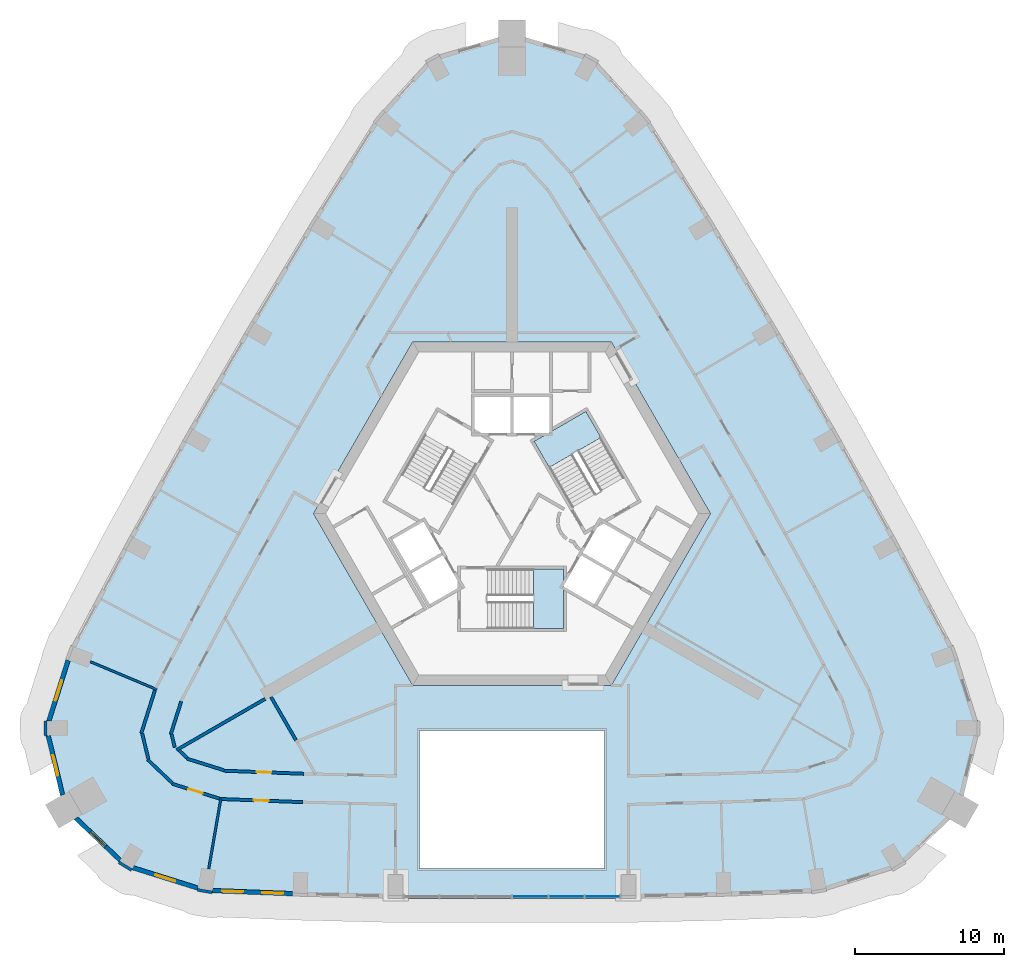
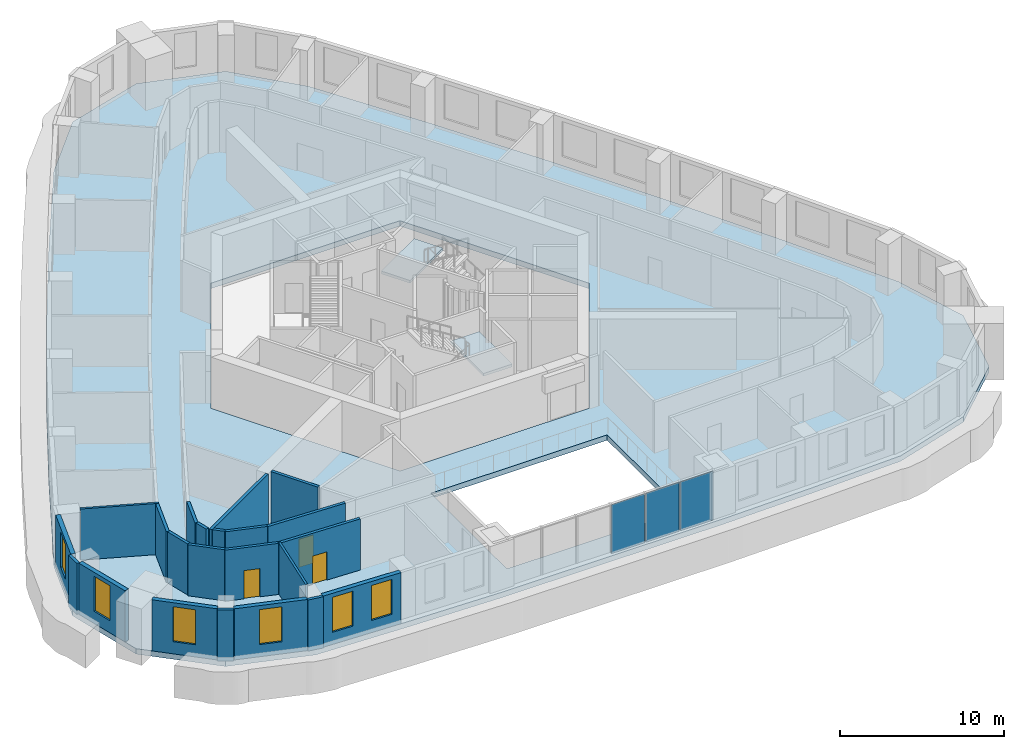
# One storey, part 3 of 13: 22 walls, 6 windows, 3 doors, 3 plates, 3 slabs, 9 openings, 3 elements without a shape of their own.
"""IFC4 building model written with IfcOpenShell, lengths in metres."""

from ifc_helpers import new_model, si_unit, direction, frame, frame_2d, origin, origin_2d, place, context, subcontext, project, spatial, polyline, rectangle, outline, extrude, material, layer, layer_set, type_object, element, fill, aggregate, save


model = new_model("IFC4")

# Units and contexts
model_context = context("Model", 3, precision=1e-05, world=origin(), true_north=direction((0.0, 1.0)))
body_context = subcontext(model_context, "Body", "Model", "MODEL_VIEW")
ifc_project = project(units=[si_unit("LENGTHUNIT", "METRE"), si_unit("AREAUNIT", "SQUARE_METRE"), si_unit("VOLUMEUNIT", "CUBIC_METRE"), si_unit("PLANEANGLEUNIT", "RADIAN"), si_unit("MASSUNIT", "GRAM", prefix="KILO")], contexts=[model_context])

# Site, building, storey
site_placement = place(None, origin())
site = spatial("IfcSite", under=ifc_project, at=site_placement, CompositionType="ELEMENT")
building_placement = place(site_placement, origin())
building = spatial("IfcBuilding", under=site, at=building_placement, Name="Entoto Arch Interchange Tower", CompositionType="ELEMENT")
storey_placement = place(building_placement, frame((0.0, 0.0, 219.199951171875)))
storey = spatial("IfcBuildingStorey", under=building, at=storey_placement, Name="L49", CompositionType="ELEMENT", Elevation=219.199951171875)

# Stair, slab
ifc_material_1 = material(Name="Concrete C40/50", Category="concrete")
stair_type = type_object("IfcStairType", Name="EXIT STAIR RC 1800", PredefinedType="HALF_TURN_STAIR", material=ifc_material_1)
stair_1_placement = place(storey_placement, origin())
stair_1 = element("IfcStair", 1, at=stair_1_placement, inside=storey, type_object=stair_type, Name="L49 Exit stair S", PredefinedType="HALF_TURN_STAIR")
ifc_layer_1 = layer(ifc_material_1, 0.199951171875)
ifc_layer_set_1 = layer_set([ifc_layer_1], Name="Concrete C40/50")
slab_type_1 = type_object("IfcSlabType", Name="EXIT STAIR LANDING RC 200", PredefinedType="LANDING", material=ifc_layer_set_1)
slab_1_placement = place(storey_placement, frame((0.0, 0.0, 1.900146484375)))
slab_1 = element("IfcSlab", 2, at=slab_1_placement, type_object=slab_type_1, Name="ST-S landing 1", PredefinedType="LANDING", context=body_context, shape_type="SweptSolid", body=[
    extrude(outline(polyline([(1.429931640625, -5.199951171875), (3.449951171875, -5.199951171875), (3.449951171875, -1.199951171875), (1.429931640625, -1.199951171875), (1.429931640625, -5.199951171875)])), origin(), (0.0, 0.0, 1.0), 0.199951171875),
])
aggregate(stair_1, [slab_1])

stair_2_placement = place(storey_placement, origin())
stair_2 = element("IfcStair", 3, at=stair_2_placement, inside=storey, type_object=stair_type, Name="L49 Exit stair NE", PredefinedType="HALF_TURN_STAIR")
slab_2_placement = place(storey_placement, frame((0.0, 0.0, 1.900146484375)))
slab_2 = element("IfcSlab", 4, at=slab_2_placement, type_object=slab_type_1, Name="ST-NE landing 1", PredefinedType="LANDING", context=body_context, shape_type="SweptSolid", body=[
    extrude(outline(polyline([(5.953369140625, 7.58837890625), (4.943359375, 9.337890625), (1.479248046875, 7.337890625), (2.4892578125, 5.58837890625), (5.953369140625, 7.58837890625)])), origin(), (0.0, 0.0, 1.0), 0.199951171875),
])
aggregate(stair_2, [slab_2])

# Curtain wall, plates
ifc_material_2 = material(Name="Aluminium, anodised", Category="aluminium")
curtain_wall_type = type_object("IfcCurtainWallType", Name="CURTAIN WALL ATRIUM", PredefinedType="NOTDEFINED", material=ifc_material_2)
curtain_wall_placement = place(storey_placement, origin())
curtain_wall = element("IfcCurtainWall", 5, at=curtain_wall_placement, inside=storey, type_object=curtain_wall_type, Name="Atrium glazing S-03 L49", PredefinedType="NOTDEFINED")
ifc_material_3 = material(Name="Clear glass, low-e double glazed", Category="glass")
ifc_layer_2 = layer(ifc_material_3, 0.031982421875)
ifc_layer_set_2 = layer_set([ifc_layer_2], Name="Clear glass, low-e double glazed")
plate_type = type_object("IfcPlateType", Name="GLAZING PANEL ATRIUM 32", PredefinedType="CURTAIN_PANEL", material=ifc_layer_set_2)
plate_1_placement = place(storey_placement, frame((1.216552734375, -23.135986328125, 0.080078125), z_axis=(0.0, 0.0, 1.0), x_axis=(1.0, 0.0, 0.0)))
plate_1 = element("IfcPlate", 6, at=plate_1_placement, type_object=plate_type, Name="CWA panel 4.1", PredefinedType="CURTAIN_PANEL", context=body_context, shape_type="SweptSolid", body=[
    extrude(rectangle(XDim=2.3330078125, YDim=0.031982421875, at=origin_2d()), origin(), (0.0, 0.0, 1.0), 3.639892578125),
])
plate_2_placement = place(storey_placement, frame((3.6494140625, -23.135986328125, 0.080078125), z_axis=(0.0, 0.0, 1.0), x_axis=(1.0, 0.0, 0.0)))
plate_2 = element("IfcPlate", 7, at=plate_2_placement, type_object=plate_type, Name="CWA panel 5.1", PredefinedType="CURTAIN_PANEL", context=body_context, shape_type="SweptSolid", body=[
    extrude(rectangle(XDim=2.3330078125, YDim=0.031982421875, at=origin_2d()), origin(), (0.0, 0.0, 1.0), 3.639892578125),
])
plate_3_placement = place(storey_placement, frame((6.0576171875, -23.135986328125, 0.080078125), z_axis=(0.0, 0.0, 1.0), x_axis=(1.0, 0.0, 0.0)))
plate_3 = element("IfcPlate", 8, at=plate_3_placement, type_object=plate_type, Name="CWA panel 6.1", PredefinedType="CURTAIN_PANEL", context=body_context, shape_type="SweptSolid", body=[
    extrude(rectangle(XDim=2.282958984375, YDim=0.031982421875, at=origin_2d()), origin(), (0.0, 0.0, 1.0), 3.639892578125),
])
aggregate(curtain_wall, [plate_1, plate_2, plate_3])

# Slab
ifc_layer_3 = layer(ifc_material_1, 0.39990234375)
ifc_layer_set_3 = layer_set([ifc_layer_3], Name="Concrete C40/50")
slab_type_2 = type_object("IfcSlabType", Name="Post-tensioned flat plate 400 C40/50", PredefinedType="FLOOR", material=ifc_layer_set_3)
slab_3_placement = place(storey_placement, frame((0.0, 0.0, -0.39990234375)))
element("IfcSlab", 9, at=slab_3_placement, inside=storey, type_object=slab_type_2, Name="Floor slab L49", PredefinedType="FLOOR", context=body_context, shape_type="SweptSolid", body=[
    extrude(outline(polyline([(-20.569091796875, -22.862060546875), (-14.18505859375, -23.10693359375), (-7.800048828125, -23.260986328125), (7.800048828125, -23.260986328125), (14.18505859375, -23.10693359375), (20.569091796875, -22.862060546875), (25.93798828125, -21.179931640625), (29.991943359375, -17.31591796875), (31.31201171875, -11.873046875), (29.699951171875, -6.7880859375), (25.784912109375, 0.60205078125), (21.791015625, 7.819091796875), (17.6669921875, 14.9619140625), (13.4140625, 22.030029296875), (8.970947265625, 29.114990234375), (5.373046875, 33.052978515625), (0.0, 34.632080078125), (-5.373046875, 33.052978515625), (-8.970947265625, 29.114990234375), (-13.4140625, 22.030029296875), (-17.6669921875, 14.9619140625), (-21.791015625, 7.819091796875), (-25.784912109375, 0.60205078125), (-29.699951171875, -6.7880859375), (-31.31201171875, -11.873046875), (-29.991943359375, -17.31591796875), (-25.93798828125, -21.179931640625), (-20.569091796875, -22.862060546875)]), holes=[polyline([(6.199951171875, -21.260986328125), (6.199951171875, -12.0), (-6.199951171875, -12.0), (-6.199951171875, -21.260986328125), (6.199951171875, -21.260986328125)]), polyline([(13.279052734375, 2.5), (6.639892578125, 14.0), (-6.639892578125, 14.0), (-13.279052734375, 2.5), (-6.639892578125, -9.0), (6.639892578125, -9.0), (13.279052734375, 2.5)])]), origin(), (0.0, 0.0, 1.0), 0.39990234375),
])

# Walls
ifc_material_4 = material(Name="Gypsum board partition on steel studs", Category="steel")
ifc_layer_4 = layer(ifc_material_4, 0.14990234375)
ifc_layer_set_4 = layer_set([ifc_layer_4], Name="Gypsum board partition on steel studs")
wall_type_1 = type_object("IfcWallType", Name="PARTITION 150", PredefinedType="PARTITIONING", material=ifc_layer_set_4)
wall_1_placement = place(storey_placement, frame((-23.77392578125, -9.27294921875, 0.0), z_axis=(0.0, 0.0, 1.0), x_axis=(-0.922217762148, 0.386670918454, 0.0)))
element("IfcWall", 10, at=wall_1_placement, inside=storey, type_object=wall_type_1, Name="wall:L49:p128", PredefinedType="PARTITIONING", context=body_context, shape_type="SweptSolid", body=[
    extrude(rectangle(XDim=4.804931640625, YDim=0.14990234375, at=frame_2d((2.40234375, 0.0))), origin(), (0.0, 0.0, 1.0), 3.800048828125),
])
wall_2_placement = place(storey_placement, frame((-19.488037109375, -16.59912109375, 0.0), z_axis=(0.0, 0.0, 1.0), x_axis=(-0.169963884325, -0.985450292011, 0.0)))
element("IfcWall", 11, at=wall_2_placement, inside=storey, type_object=wall_type_1, Name="wall:L49:p129", PredefinedType="PARTITIONING", context=body_context, shape_type="SweptSolid", body=[
    extrude(rectangle(XDim=4.73583984375, YDim=0.14990234375, at=frame_2d((2.367919921875, 0.0))), origin(), (0.0, 0.0, 1.0), 3.800048828125),
])
ifc_layer_5 = layer(ifc_material_4, 0.199951171875)
ifc_layer_set_5 = layer_set([ifc_layer_5], Name="Gypsum board partition on steel studs")
wall_type_2 = type_object("IfcWallType", Name="PARTITION 200", PredefinedType="PARTITIONING", material=ifc_layer_set_5)
wall_3_placement = place(storey_placement, frame((-22.136962890625, -10.06689453125, 0.0), z_axis=(0.0, 0.0, 1.0), x_axis=(-0.302262657712, -0.953224677478, 0.0)))
element("IfcWall", 12, at=wall_3_placement, inside=storey, type_object=wall_type_2, Name="wall:L49:p029", PredefinedType="PARTITIONING", context=body_context, shape_type="SweptSolid", body=[
    extrude(rectangle(XDim=2.302734375, YDim=0.199951171875, at=frame_2d((1.1513671875, 0.0))), origin(), (0.0, 0.0, 1.0), 3.800048828125),
])
wall_4_placement = place(storey_placement, frame((-22.779052734375, -12.263916015625, 0.0), z_axis=(0.0, 0.0, 1.0), x_axis=(0.2356388299, -0.971840697771, 0.0)))
element("IfcWall", 13, at=wall_4_placement, inside=storey, type_object=wall_type_2, Name="wall:L49:p030", PredefinedType="PARTITIONING", context=body_context, shape_type="SweptSolid", body=[
    extrude(rectangle(XDim=0.900390625, YDim=0.199951171875, at=frame_2d((0.4501953125, 0.0))), origin(), (0.0, 0.0, 1.0), 3.800048828125),
])
wall_5_placement = place(storey_placement, frame((-22.281005859375, -13.3369140625, 0.0), z_axis=(0.0, 0.0, 1.0), x_axis=(0.723443840005, -0.690383234413, 0.0)))
element("IfcWall", 14, at=wall_5_placement, inside=storey, type_object=wall_type_2, Name="wall:L49:p031", PredefinedType="PARTITIONING", context=body_context, shape_type="SweptSolid", body=[
    extrude(rectangle(XDim=0.753173828125, YDim=0.199951171875, at=frame_2d((0.37646484375, 0.0))), origin(), (0.0, 0.0, 1.0), 3.800048828125),
])
wall_6_placement = place(storey_placement, frame((-21.759033203125, -13.89599609375, 0.0), z_axis=(0.0, 0.0, 1.0), x_axis=(0.954254371194, -0.298995978328, 0.0)))
element("IfcWall", 15, at=wall_6_placement, inside=storey, type_object=wall_type_2, Name="wall:L49:p032", PredefinedType="PARTITIONING", context=body_context, shape_type="SweptSolid", body=[
    extrude(rectangle(XDim=2.621826171875, YDim=0.199951171875, at=frame_2d((1.31103515625, 0.0))), origin(), (0.0, 0.0, 1.0), 3.800048828125),
])

# Wall, opening, door
wall_7_placement = place(storey_placement, frame((-19.260986328125, -14.7060546875, 0.0), z_axis=(0.0, 0.0, 1.0), x_axis=(0.999262930749, -0.038387435847, 0.0)))
wall_7 = element("IfcWall", 16, at=wall_7_placement, inside=storey, type_object=wall_type_2, Name="wall:L49:p033", PredefinedType="PARTITIONING", context=body_context, shape_type="SweptSolid", body=[
    extrude(rectangle(XDim=5.3359375, YDim=0.199951171875, at=frame_2d((2.66796875, 0.0))), origin(), (0.0, 0.0, 1.0), 3.800048828125),
])
opening_1_placement = place(wall_7_placement, frame((2.16796875, 0.0, 0.0)))
opening_1 = element("IfcOpeningElement", 17, at=opening_1_placement, cuts=wall_7, Name="Opening L49-D24", PredefinedType="OPENING", context=body_context, shape_type="SweptSolid", body=[
    extrude(rectangle(XDim=1.0, YDim=2.10009765625, at=frame_2d((0.5, 1.050048828125))), frame((0.0, 0.10986328125, 0.0), z_axis=(0.0, -1.0, 0.0), x_axis=(1.0, 0.0, 0.0)), (0.0, 0.0, 1.0), 0.219970703125),
])
ifc_material_5 = material(Name="Timber door leaf in Steel S235 frame", Category="steel")
door_type = type_object("IfcDoorType", Name="DOOR DS-10 1000x2100", OperationType="SINGLE_SWING_LEFT", PredefinedType="DOOR", material=ifc_material_5)
door_1_placement = place(opening_1_placement, origin())
door_1 = element("IfcDoor", 18, at=door_1_placement, inside=storey, type_object=door_type, Name="door:L49:24", OperationType="SINGLE_SWING_LEFT", OverallHeight=2.10009765625, OverallWidth=1.0, PredefinedType="DOOR", context=body_context, shape_type="SweptSolid", body=[
    extrude(rectangle(XDim=1.0, YDim=2.10009765625, at=frame_2d((0.5, 1.050048828125))), frame((0.0, 0.02490234375, 0.0), z_axis=(0.0, -1.0, 0.0), x_axis=(1.0, 0.0, 0.0)), (0.0, 0.0, 1.0), 0.050048828125),
])
fill(opening_1, door_1)

wall_8_placement = place(storey_placement, frame((-19.5830078125, -16.569091796875, 0.0), z_axis=(0.0, 0.0, 1.0), x_axis=(-0.954238750745, 0.299045826884, 0.0)))
wall_8 = element("IfcWall", 19, at=wall_8_placement, inside=storey, type_object=wall_type_2, Name="wall:L49:p060", PredefinedType="PARTITIONING", context=body_context, shape_type="SweptSolid", body=[
    extrude(rectangle(XDim=3.31787109375, YDim=0.199951171875, at=frame_2d((1.658935546875, 0.0))), origin(), (0.0, 0.0, 1.0), 3.800048828125),
])
opening_2_placement = place(wall_8_placement, frame((1.158935546875, 0.0, 0.0)))
opening_2 = element("IfcOpeningElement", 20, at=opening_2_placement, cuts=wall_8, Name="Opening L49-D13", PredefinedType="OPENING", context=body_context, shape_type="SweptSolid", body=[
    extrude(rectangle(XDim=1.0, YDim=2.10009765625, at=frame_2d((0.5, 1.050048828125))), frame((0.0, 0.10986328125, 0.0), z_axis=(0.0, -1.0, 0.0), x_axis=(1.0, 0.0, 0.0)), (0.0, 0.0, 1.0), 0.219970703125),
])
door_2_placement = place(opening_2_placement, origin())
door_2 = element("IfcDoor", 21, at=door_2_placement, inside=storey, type_object=door_type, Name="door:L49:13", OperationType="SINGLE_SWING_RIGHT", OverallHeight=2.10009765625, OverallWidth=1.0, PredefinedType="DOOR", context=body_context, shape_type="SweptSolid", body=[
    extrude(rectangle(XDim=1.0, YDim=2.10009765625, at=frame_2d((0.5, 1.050048828125))), frame((0.0, 0.02490234375, 0.0), z_axis=(0.0, -1.0, 0.0), x_axis=(1.0, 0.0, 0.0)), (0.0, 0.0, 1.0), 0.050048828125),
])
fill(opening_2, door_2)

# Walls
wall_9_placement = place(storey_placement, frame((-22.72607421875, -15.5380859375, 0.0), z_axis=(0.0, 0.0, 1.0), x_axis=(-0.723967420116, 0.689834164571, 0.0)))
element("IfcWall", 22, at=wall_9_placement, inside=storey, type_object=wall_type_2, Name="wall:L49:p061", PredefinedType="PARTITIONING", context=body_context, shape_type="SweptSolid", body=[
    extrude(rectangle(XDim=2.28173828125, YDim=0.199951171875, at=frame_2d((1.140869140625, 0.0))), origin(), (0.0, 0.0, 1.0), 3.800048828125),
])
wall_10_placement = place(storey_placement, frame((-24.3291015625, -13.93505859375, 0.0), z_axis=(0.0, 0.0, 1.0), x_axis=(-0.235756216468, 0.971812227952, 0.0)))
element("IfcWall", 23, at=wall_10_placement, inside=storey, type_object=wall_type_2, Name="wall:L49:p062", PredefinedType="PARTITIONING", context=body_context, shape_type="SweptSolid", body=[
    extrude(rectangle(XDim=1.78955078125, YDim=0.199951171875, at=frame_2d((0.894775390625, 0.0))), origin(), (0.0, 0.0, 1.0), 3.800048828125),
])
wall_11_placement = place(storey_placement, frame((-24.804931640625, -12.194091796875, 0.0), z_axis=(0.0, 0.0, 1.0), x_axis=(0.302200639646, 0.953244340868, 0.0)))
element("IfcWall", 24, at=wall_11_placement, inside=storey, type_object=wall_type_2, Name="wall:L49:p063", PredefinedType="PARTITIONING", context=body_context, shape_type="SweptSolid", body=[
    extrude(rectangle(XDim=3.00439453125, YDim=0.199951171875, at=frame_2d((1.502197265625, 0.0))), origin(), (0.0, 0.0, 1.0), 3.800048828125),
])

# Wall, opening, door
wall_12_placement = place(storey_placement, frame((-13.988037109375, -16.81005859375, 0.0), z_axis=(0.0, 0.0, 1.0), x_axis=(-0.999263168163, 0.038381255227, 0.0)))
wall_12 = element("IfcWall", 25, at=wall_12_placement, inside=storey, type_object=wall_type_2, Name="wall:L49:p065", PredefinedType="PARTITIONING", context=body_context, shape_type="SweptSolid", body=[
    extrude(rectangle(XDim=5.60400390625, YDim=0.199951171875, at=frame_2d((2.802001953125, 0.0))), origin(), (0.0, 0.0, 1.0), 3.800048828125),
])
opening_3_placement = place(wall_12_placement, frame((2.302001953125, 0.0, 0.0)))
opening_3 = element("IfcOpeningElement", 26, at=opening_3_placement, cuts=wall_12, Name="Opening L49-D14", PredefinedType="OPENING", context=body_context, shape_type="SweptSolid", body=[
    extrude(rectangle(XDim=1.0, YDim=2.10009765625, at=frame_2d((0.5, 1.050048828125))), frame((0.0, 0.10986328125, 0.0), z_axis=(0.0, -1.0, 0.0), x_axis=(1.0, 0.0, 0.0)), (0.0, 0.0, 1.0), 0.219970703125),
])
door_3_placement = place(opening_3_placement, origin())
door_3 = element("IfcDoor", 27, at=door_3_placement, inside=storey, type_object=door_type, Name="door:L49:14", OperationType="SINGLE_SWING_LEFT", OverallHeight=2.10009765625, OverallWidth=1.0, PredefinedType="DOOR", context=body_context, shape_type="SweptSolid", body=[
    extrude(rectangle(XDim=1.0, YDim=2.10009765625, at=frame_2d((0.5, 1.050048828125))), frame((0.0, 0.02490234375, 0.0), z_axis=(0.0, -1.0, 0.0), x_axis=(1.0, 0.0, 0.0)), (0.0, 0.0, 1.0), 0.050048828125),
])
fill(opening_3, door_3)

# Walls
wall_13_placement = place(storey_placement, frame((-14.45703125, -12.659912109375, 0.0), z_axis=(0.0, 0.0, 1.0), x_axis=(-0.49997268395, 0.866041174139, 0.0)))
element("IfcWall", 28, at=wall_13_placement, inside=storey, type_object=wall_type_2, Name="wall:L49:p114", PredefinedType="PARTITIONING", context=body_context, shape_type="SweptSolid", body=[
    extrude(rectangle(XDim=3.322021484375, YDim=0.199951171875, at=frame_2d((1.6611328125, 0.0))), origin(), (0.0, 0.0, 1.0), 3.800048828125),
])
wall_14_placement = place(storey_placement, frame((-16.513916015625, -9.89697265625, 0.0), z_axis=(0.0, 0.0, 1.0), x_axis=(-0.866041209536, -0.499972622635, 0.0)))
element("IfcWall", 29, at=wall_14_placement, inside=storey, type_object=wall_type_2, Name="wall:L49:p116", PredefinedType="PARTITIONING", context=body_context, shape_type="SweptSolid", body=[
    extrude(rectangle(XDim=6.8427734375, YDim=0.199951171875, at=frame_2d((3.42138671875, 0.0))), origin(), (0.0, 0.0, 1.0), 3.800048828125),
])

# Wall, openings, windows
ifc_material_6 = material(Name="Welded tuff (ignimbrite) cladding, warm buff", Category="masonry")
ifc_layer_6 = layer(ifc_material_6, 0.300048828125)
ifc_layer_set_6 = layer_set([ifc_layer_6], Name="Welded tuff (ignimbrite) cladding, warm buff")
wall_type_3 = type_object("IfcWallType", Name="STONE INFILL WALL 300", PredefinedType="STANDARD", material=ifc_layer_set_6)
wall_15_placement = place(storey_placement, frame((-20.0400390625, -22.73193359375, 0.0), z_axis=(0.0, 0.0, 1.0), x_axis=(0.99926218254, -0.038406907512, 0.0)))
wall_15 = element("IfcWall", 30, at=wall_15_placement, inside=storey, type_object=wall_type_3, Name="Facade wall S-01 L49", PredefinedType="STANDARD", context=body_context, shape_type="SweptSolid", body=[
    extrude(rectangle(XDim=5.364990234375, YDim=0.300048828125, at=frame_2d((2.6826171875, 0.0))), origin(), (0.0, 0.0, 1.0), 3.800048828125),
])
opening_4_placement = place(wall_15_placement, frame((0.64111328125, 0.0, 0.89990234375)))
opening_4 = element("IfcOpeningElement", 31, at=opening_4_placement, cuts=wall_15, Name="Opening WO-B", PredefinedType="OPENING", context=body_context, shape_type="SweptSolid", body=[
    extrude(rectangle(XDim=1.39990234375, YDim=2.60009765625, at=frame_2d((0.699951171875, 1.300048828125))), frame((0.0, 0.16015625, 0.0), z_axis=(0.0, -1.0, 0.0), x_axis=(1.0, 0.0, 0.0)), (0.0, 0.0, 1.0), 0.320068359375),
])
opening_5_placement = place(wall_15_placement, frame((3.323974609375, 0.0, 0.89990234375)))
opening_5 = element("IfcOpeningElement", 32, at=opening_5_placement, cuts=wall_15, Name="Opening WO-B", PredefinedType="OPENING", context=body_context, shape_type="SweptSolid", body=[
    extrude(rectangle(XDim=1.39990234375, YDim=2.60009765625, at=frame_2d((0.699951171875, 1.300048828125))), frame((0.0, 0.16015625, 0.0), z_axis=(0.0, -1.0, 0.0), x_axis=(1.0, 0.0, 0.0)), (0.0, 0.0, 1.0), 0.320068359375),
])
window_type = type_object("IfcWindowType", Name="WINDOW WO-B 1400x2600", PartitioningType="DOUBLE_PANEL_VERTICAL", PredefinedType="WINDOW", material=ifc_material_3)
window_1_placement = place(opening_4_placement, origin())
window_1 = element("IfcWindow", 33, at=window_1_placement, inside=storey, type_object=window_type, Name="Window WO-B S-01 L49", OverallHeight=2.60009765625, OverallWidth=1.39990234375, PartitioningType="SINGLE_PANEL", PredefinedType="WINDOW", context=body_context, shape_type="SweptSolid", body=[
    extrude(rectangle(XDim=1.39990234375, YDim=2.60009765625, at=frame_2d((0.699951171875, 1.300048828125))), frame((0.0, 0.030029296875, 0.0), z_axis=(0.0, -1.0, 0.0), x_axis=(1.0, 0.0, 0.0)), (0.0, 0.0, 1.0), 0.06005859375),
])
fill(opening_4, window_1)
window_2_placement = place(opening_5_placement, origin())
window_2 = element("IfcWindow", 34, at=window_2_placement, inside=storey, type_object=window_type, Name="Window WO-B S-01 L49", OverallHeight=2.60009765625, OverallWidth=1.39990234375, PartitioningType="SINGLE_PANEL", PredefinedType="WINDOW", context=body_context, shape_type="SweptSolid", body=[
    extrude(rectangle(XDim=1.39990234375, YDim=2.60009765625, at=frame_2d((0.699951171875, 1.300048828125))), frame((0.0, 0.030029296875, 0.0), z_axis=(0.0, -1.0, 0.0), x_axis=(1.0, 0.0, 0.0)), (0.0, 0.0, 1.0), 0.06005859375),
])
fill(opening_5, window_2)

# Wall, opening, window
wall_16_placement = place(storey_placement, frame((-29.7099609375, -7.31591796875, 0.0), z_axis=(0.0, 0.0, 1.0), x_axis=(-0.302195467572, -0.953245980521, 0.0)))
wall_16 = element("IfcWall", 35, at=wall_16_placement, inside=storey, type_object=wall_type_3, Name="Facade wall SW-01 L49", PredefinedType="STANDARD", context=body_context, shape_type="SweptSolid", body=[
    extrude(rectangle(XDim=4.248779296875, YDim=0.300048828125, at=frame_2d((2.12451171875, 0.0))), origin(), (0.0, 0.0, 1.0), 3.800048828125),
])
opening_6_placement = place(wall_16_placement, frame((1.424072265625, 0.0, 0.89990234375)))
opening_6 = element("IfcOpeningElement", 36, at=opening_6_placement, cuts=wall_16, Name="Opening WO-B", PredefinedType="OPENING", context=body_context, shape_type="SweptSolid", body=[
    extrude(rectangle(XDim=1.39990234375, YDim=2.60009765625, at=frame_2d((0.699951171875, 1.300048828125))), frame((0.0, 0.16015625, 0.0), z_axis=(0.0, -1.0, 0.0), x_axis=(1.0, 0.0, 0.0)), (0.0, 0.0, 1.0), 0.320068359375),
])
window_3_placement = place(opening_6_placement, origin())
window_3 = element("IfcWindow", 37, at=window_3_placement, inside=storey, type_object=window_type, Name="Window WO-B SW-01 L49", OverallHeight=2.60009765625, OverallWidth=1.39990234375, PartitioningType="SINGLE_PANEL", PredefinedType="WINDOW", context=body_context, shape_type="SweptSolid", body=[
    extrude(rectangle(XDim=1.39990234375, YDim=2.60009765625, at=frame_2d((0.699951171875, 1.300048828125))), frame((0.0, 0.030029296875, 0.0), z_axis=(0.0, -1.0, 0.0), x_axis=(1.0, 0.0, 0.0)), (0.0, 0.0, 1.0), 0.06005859375),
])
fill(opening_6, window_3)

wall_17_placement = place(storey_placement, frame((-31.0380859375, -12.364990234375, 0.0), z_axis=(0.0, 0.0, 1.0), x_axis=(0.235766276378, -0.971809787419, 0.0)))
wall_17 = element("IfcWall", 38, at=wall_17_placement, inside=storey, type_object=wall_type_3, Name="Facade wall SW-02 L49", PredefinedType="STANDARD", context=body_context, shape_type="SweptSolid", body=[
    extrude(rectangle(XDim=4.076904296875, YDim=0.300048828125, at=frame_2d((2.03857421875, 0.0))), origin(), (0.0, 0.0, 1.0), 3.800048828125),
])
opening_7_placement = place(wall_17_placement, frame((1.337890625, 0.0, 0.89990234375)))
opening_7 = element("IfcOpeningElement", 39, at=opening_7_placement, cuts=wall_17, Name="Opening WO-B", PredefinedType="OPENING", context=body_context, shape_type="SweptSolid", body=[
    extrude(rectangle(XDim=1.39990234375, YDim=2.60009765625, at=frame_2d((0.699951171875, 1.300048828125))), frame((0.0, 0.16015625, 0.0), z_axis=(0.0, -1.0, 0.0), x_axis=(1.0, 0.0, 0.0)), (0.0, 0.0, 1.0), 0.320068359375),
])
window_4_placement = place(opening_7_placement, origin())
window_4 = element("IfcWindow", 40, at=window_4_placement, inside=storey, type_object=window_type, Name="Window WO-B SW-02 L49", OverallHeight=2.60009765625, OverallWidth=1.39990234375, PartitioningType="SINGLE_PANEL", PredefinedType="WINDOW", context=body_context, shape_type="SweptSolid", body=[
    extrude(rectangle(XDim=1.39990234375, YDim=2.60009765625, at=frame_2d((0.699951171875, 1.300048828125))), frame((0.0, 0.030029296875, 0.0), z_axis=(0.0, -1.0, 0.0), x_axis=(1.0, 0.0, 0.0)), (0.0, 0.0, 1.0), 0.06005859375),
])
fill(opening_7, window_4)

wall_18_placement = place(storey_placement, frame((-29.177978515625, -17.884033203125, 0.0), z_axis=(0.0, 0.0, 1.0), x_axis=(0.723707630873, -0.69010670553, 0.0)))
wall_18 = element("IfcWall", 41, at=wall_18_placement, inside=storey, type_object=wall_type_3, Name="Facade wall SW-03 L49", PredefinedType="STANDARD", context=body_context, shape_type="SweptSolid", body=[
    extrude(rectangle(XDim=4.076171875, YDim=0.300048828125, at=frame_2d((2.0380859375, 0.0))), origin(), (0.0, 0.0, 1.0), 3.800048828125),
])
opening_8_placement = place(wall_18_placement, frame((1.337890625, 0.0, 0.89990234375)))
opening_8 = element("IfcOpeningElement", 42, at=opening_8_placement, cuts=wall_18, Name="Opening WO-B", PredefinedType="OPENING", context=body_context, shape_type="SweptSolid", body=[
    extrude(rectangle(XDim=1.39990234375, YDim=2.60009765625, at=frame_2d((0.699951171875, 1.300048828125))), frame((0.0, 0.16015625, 0.0), z_axis=(0.0, -1.0, 0.0), x_axis=(1.0, 0.0, 0.0)), (0.0, 0.0, 1.0), 0.320068359375),
])
window_5_placement = place(opening_8_placement, origin())
window_5 = element("IfcWindow", 43, at=window_5_placement, inside=storey, type_object=window_type, Name="Window WO-B SW-03 L49", OverallHeight=2.60009765625, OverallWidth=1.39990234375, PartitioningType="SINGLE_PANEL", PredefinedType="WINDOW", context=body_context, shape_type="SweptSolid", body=[
    extrude(rectangle(XDim=1.39990234375, YDim=2.60009765625, at=frame_2d((0.699951171875, 1.300048828125))), frame((0.0, 0.030029296875, 0.0), z_axis=(0.0, -1.0, 0.0), x_axis=(1.0, 0.0, 0.0)), (0.0, 0.0, 1.0), 0.06005859375),
])
fill(opening_8, window_5)

wall_19_placement = place(storey_placement, frame((-25.366943359375, -21.201904296875, 0.0), z_axis=(0.0, 0.0, 1.0), x_axis=(0.954297481837, -0.298858354675, 0.0)))
wall_19 = element("IfcWall", 44, at=wall_19_placement, inside=storey, type_object=wall_type_3, Name="Facade wall SW-04 L49", PredefinedType="STANDARD", context=body_context, shape_type="SweptSolid", body=[
    extrude(rectangle(XDim=4.551025390625, YDim=0.300048828125, at=frame_2d((2.275390625, 0.0))), origin(), (0.0, 0.0, 1.0), 3.800048828125),
])
opening_9_placement = place(wall_19_placement, frame((1.574951171875, 0.0, 0.89990234375)))
opening_9 = element("IfcOpeningElement", 45, at=opening_9_placement, cuts=wall_19, Name="Opening WO-B", PredefinedType="OPENING", context=body_context, shape_type="SweptSolid", body=[
    extrude(rectangle(XDim=1.39990234375, YDim=2.60009765625, at=frame_2d((0.699951171875, 1.300048828125))), frame((0.0, 0.16015625, 0.0), z_axis=(0.0, -1.0, 0.0), x_axis=(1.0, 0.0, 0.0)), (0.0, 0.0, 1.0), 0.320068359375),
])
window_6_placement = place(opening_9_placement, origin())
window_6 = element("IfcWindow", 46, at=window_6_placement, inside=storey, type_object=window_type, Name="Window WO-B SW-04 L49", OverallHeight=2.60009765625, OverallWidth=1.39990234375, PartitioningType="SINGLE_PANEL", PredefinedType="WINDOW", context=body_context, shape_type="SweptSolid", body=[
    extrude(rectangle(XDim=1.39990234375, YDim=2.60009765625, at=frame_2d((0.699951171875, 1.300048828125))), frame((0.0, 0.030029296875, 0.0), z_axis=(0.0, -1.0, 0.0), x_axis=(1.0, 0.0, 0.0)), (0.0, 0.0, 1.0), 0.06005859375),
])
fill(opening_9, window_6)

# Walls
ifc_layer_7 = layer(ifc_material_6, 0.199951171875)
ifc_layer_set_7 = layer_set([ifc_layer_7], Name="Welded tuff (ignimbrite) cladding, warm buff")
wall_type_4 = type_object("IfcWallType", Name="STONE PIER CLADDING 200", PredefinedType="STANDARD", material=ifc_layer_set_7)
wall_20_placement = place(storey_placement, frame((-21.044921875, -22.678955078125, 0.0), z_axis=(0.0, 0.0, 1.0), x_axis=(0.985631544579, -0.168909615862, 0.0)))
element("IfcWall", 47, at=wall_20_placement, inside=storey, type_object=wall_type_4, Name="Stone pier S01 L49", PredefinedType="STANDARD", context=body_context, shape_type="SweptSolid", body=[
    extrude(rectangle(XDim=1.000244140625, YDim=0.199951171875, at=frame_2d((0.5, 0.0))), origin(), (0.0, 0.0, 1.0), 3.800048828125),
])
wall_21_placement = place(storey_placement, frame((-31.22412109375, -11.37109375, 0.0), z_axis=(0.0, 0.0, 1.0), x_axis=(0.024186470916, -0.999707464524, 0.0)))
element("IfcWall", 48, at=wall_21_placement, inside=storey, type_object=wall_type_4, Name="Stone pier SW1 L49", PredefinedType="STANDARD", context=body_context, shape_type="SweptSolid", body=[
    extrude(rectangle(XDim=0.999267578125, YDim=0.199951171875, at=frame_2d((0.49951171875, 0.0))), origin(), (0.0, 0.0, 1.0), 3.800048828125),
])
wall_22_placement = place(storey_placement, frame((-26.31298828125, -20.833984375, 0.0), z_axis=(0.0, 0.0, 1.0), x_axis=(0.853679739553, -0.520798331677, 0.0)))
element("IfcWall", 49, at=wall_22_placement, inside=storey, type_object=wall_type_4, Name="Stone pier SW3 L49", PredefinedType="STANDARD", context=body_context, shape_type="SweptSolid", body=[
    extrude(rectangle(XDim=1.00048828125, YDim=0.199951171875, at=frame_2d((0.500244140625, 0.0))), origin(), (0.0, 0.0, 1.0), 3.800048828125),
])

save(model, "model.ifc")
